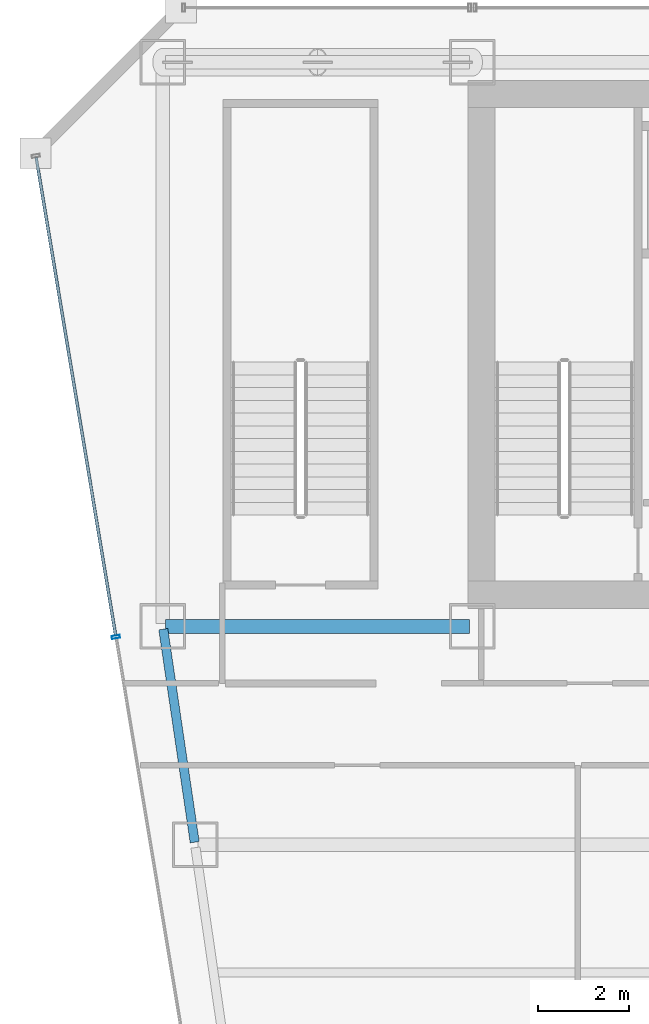
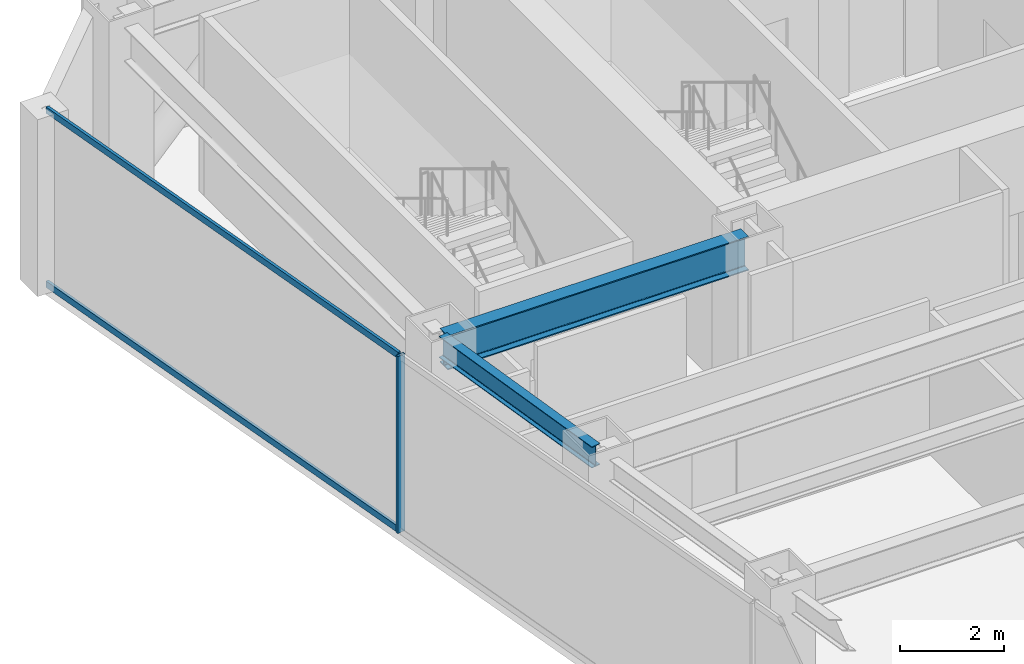
# One storey, part 20 of 37: 3 members, 2 beams, 1 element without a shape of its own.
"""IFC4 building model written with IfcOpenShell, lengths in metres."""

from ifc_helpers import new_model, si_unit, direction, frame, origin, origin_2d, place, context, subcontext, project, spatial, hollow_rectangle, i_section, extrude, material, material_profile, profile_set, type_object, element, aggregate, save


model = new_model("IFC4")

# Units and contexts
model_context = context("Model", 3, precision=1e-05, world=origin(), true_north=direction((0.0, 1.0)))
body_context = subcontext(model_context, "Body", "Model", "MODEL_VIEW")
ifc_project = project(units=[si_unit("LENGTHUNIT", "METRE"), si_unit("AREAUNIT", "SQUARE_METRE"), si_unit("VOLUMEUNIT", "CUBIC_METRE"), si_unit("PLANEANGLEUNIT", "RADIAN"), si_unit("MASSUNIT", "GRAM", prefix="KILO")], contexts=[model_context])

# Site, building, storey
site_placement = place(None, origin())
site = spatial("IfcSite", under=ifc_project, at=site_placement, CompositionType="ELEMENT")
building_placement = place(site_placement, origin())
building = spatial("IfcBuilding", under=site, at=building_placement, Name="Saevonmaru Cultural Tower", CompositionType="ELEMENT")
storey_placement = place(building_placement, frame((0.0, 0.0, 110.39990234375)))
storey = spatial("IfcBuildingStorey", under=building, at=storey_placement, Name="L23", CompositionType="ELEMENT", Elevation=110.39990234375)

# Beams
ifc_material_1 = material(Name="Steel SM420", Category="steel")
ifc_material_profile_1 = material_profile(ifc_material_1, i_section(OverallWidth=0.300048828125, OverallDepth=0.800048828125, WebThickness=0.013916015625, FlangeThickness=0.02587890625, FilletRadius=0.028076171875, at=origin_2d()), Name="H-800x300x14x26")
ifc_profile_set_1 = profile_set([ifc_material_profile_1], Name="Steel SM420")
beam_type_1 = type_object("IfcBeamType", Name="BM-G-H800", PredefinedType="BEAM", material=ifc_profile_set_1)
beam_1_placement = place(storey_placement, frame((6.860107421875, 42.39990234375, 3.75), z_axis=(1.0, 0.0, 0.0), x_axis=(0.0, 1.0, 0.0)))
element("IfcBeam", 1, at=beam_1_placement, inside=storey, type_object=beam_type_1, Name="L23 Core South Girder 1", PredefinedType="BEAM", context=body_context, shape_type="SweptSolid", body=[
    extrude(i_section(OverallWidth=0.300048828125, OverallDepth=0.800048828125, WebThickness=0.013916015625, FlangeThickness=0.02587890625, FilletRadius=0.028076171875, at=origin_2d()), origin(), (0.0, 0.0, 1.0), 6.679931640625),
])
ifc_material_2 = material(Name="Steel SM355", Category="steel")
ifc_material_profile_2 = material_profile(ifc_material_2, i_section(OverallWidth=0.199951171875, OverallDepth=0.5, WebThickness=0.010009765625, FlangeThickness=0.01611328125, FilletRadius=0.02001953125, at=origin_2d()), Name="H-500x200x10x16")
ifc_profile_set_2 = profile_set([ifc_material_profile_2], Name="Steel SM355")
beam_type_2 = type_object("IfcBeamType", Name="BM-SP-H500", PredefinedType="SPANDREL", material=ifc_profile_set_2)
beam_2_placement = place(storey_placement, frame((7.499267578125, 37.659423828125, 3.900146484375), z_axis=(-0.145912860028, 0.989297446312, 0.0), x_axis=(-0.989297446312, -0.145912860028, 0.0)))
element("IfcBeam", 2, at=beam_2_placement, inside=storey, type_object=beam_type_2, Name="L23 West Splayed Spandrel 5", PredefinedType="SPANDREL", context=body_context, shape_type="SweptSolid", body=[
    extrude(i_section(OverallWidth=0.199951171875, OverallDepth=0.5, WebThickness=0.010009765625, FlangeThickness=0.01611328125, FilletRadius=0.02001953125, at=origin_2d()), origin(), (0.0, 0.0, 1.0), 4.731689453125),
])

# Curtain wall, members
ifc_material_3 = material(Name="Satin Bronze Anodised Aluminium", Category="aluminium")
curtain_wall_type = type_object("IfcCurtainWallType", Name="CW-TYP-A", PredefinedType="NOTDEFINED", material=ifc_material_3)
curtain_wall_placement = place(storey_placement, origin())
curtain_wall = element("IfcCurtainWall", 3, at=curtain_wall_placement, inside=storey, type_object=curtain_wall_type, Name="L23 Unitised Curtain Wall E12", PredefinedType="NOTDEFINED")
ifc_material_profile_3 = material_profile(ifc_material_3, hollow_rectangle(XDim=0.06494140625, YDim=0.179931640625, WallThickness=0.00390625, at=origin_2d()), Name="ALU-MULL-180x65x4")
ifc_profile_set_3 = profile_set([ifc_material_profile_3], Name="Satin Bronze Anodised Aluminium")
member_type_1 = type_object("IfcMemberType", Name="ML-CW-180x65", PredefinedType="MULLION", material=ifc_profile_set_3)
member_1_placement = place(storey_placement, frame((5.76708984375, 42.17041015625, 0.0), z_axis=(0.0, 0.0, 1.0), x_axis=(0.163998702345, -0.986460554523, 0.0)))
member_1 = element("IfcMember", 4, at=member_1_placement, type_object=member_type_1, Name="CW-TW-L23-E12 mullion 2", PredefinedType="MULLION", context=body_context, shape_type="SweptSolid", body=[
    extrude(hollow_rectangle(XDim=0.06494140625, YDim=0.179931640625, WallThickness=0.00390625, at=origin_2d()), origin(), (0.0, 0.0, 1.0), 4.150146484375),
])
ifc_material_profile_4 = material_profile(ifc_material_3, hollow_rectangle(XDim=0.06494140625, YDim=0.14990234375, WallThickness=0.00390625, at=origin_2d()), Name="ALU-TRAN-150x65x4")
ifc_profile_set_4 = profile_set([ifc_material_profile_4], Name="Satin Bronze Anodised Aluminium")
member_type_2 = type_object("IfcMemberType", Name="TR-CW-150x65", PredefinedType="USERDEFINED", material=ifc_profile_set_4)
member_2_placement = place(storey_placement, frame((4.01513671875, 52.708740234375, 0.03271484375), z_axis=(0.163990079074, -0.9864619881, 0.0), x_axis=(0.9864619881, 0.163990079074, 0.0)))
member_2 = element("IfcMember", 5, at=member_2_placement, type_object=member_type_2, Name="CW-TW-L23-E12 transom 1.1", ObjectType="TRANSOM", PredefinedType="USERDEFINED", context=body_context, shape_type="SweptSolid", body=[
    extrude(hollow_rectangle(XDim=0.06494140625, YDim=0.14990234375, WallThickness=0.00390625, at=origin_2d()), origin(), (0.0, 0.0, 1.0), 10.650634765625),
])
member_3_placement = place(storey_placement, frame((4.01513671875, 52.708740234375, 4.11767578125), z_axis=(0.163990079074, -0.9864619881, 0.0), x_axis=(0.9864619881, 0.163990079074, 0.0)))
member_3 = element("IfcMember", 6, at=member_3_placement, type_object=member_type_2, Name="CW-TW-L23-E12 transom 1.2", ObjectType="TRANSOM", PredefinedType="USERDEFINED", context=body_context, shape_type="SweptSolid", body=[
    extrude(hollow_rectangle(XDim=0.06494140625, YDim=0.14990234375, WallThickness=0.00390625, at=origin_2d()), origin(), (0.0, 0.0, 1.0), 10.650634765625),
])
aggregate(curtain_wall, [member_1, member_2, member_3])

save(model, "model.ifc")
